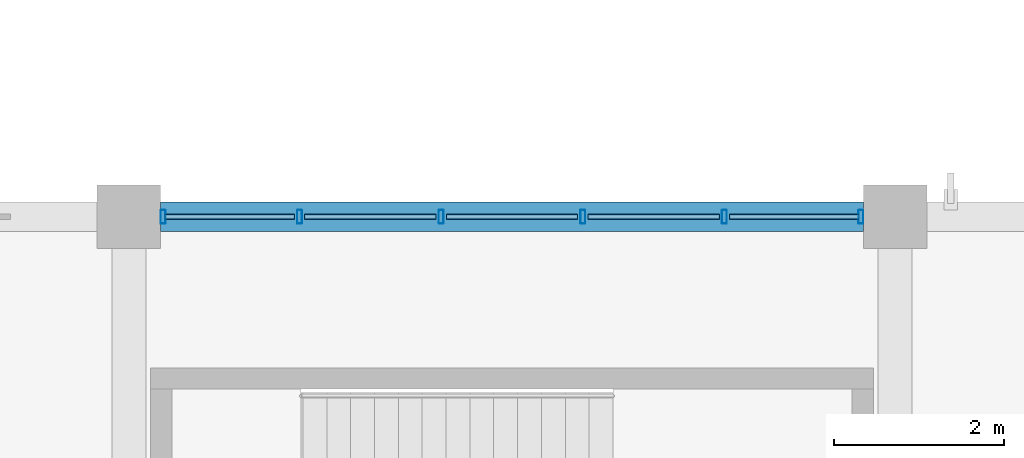
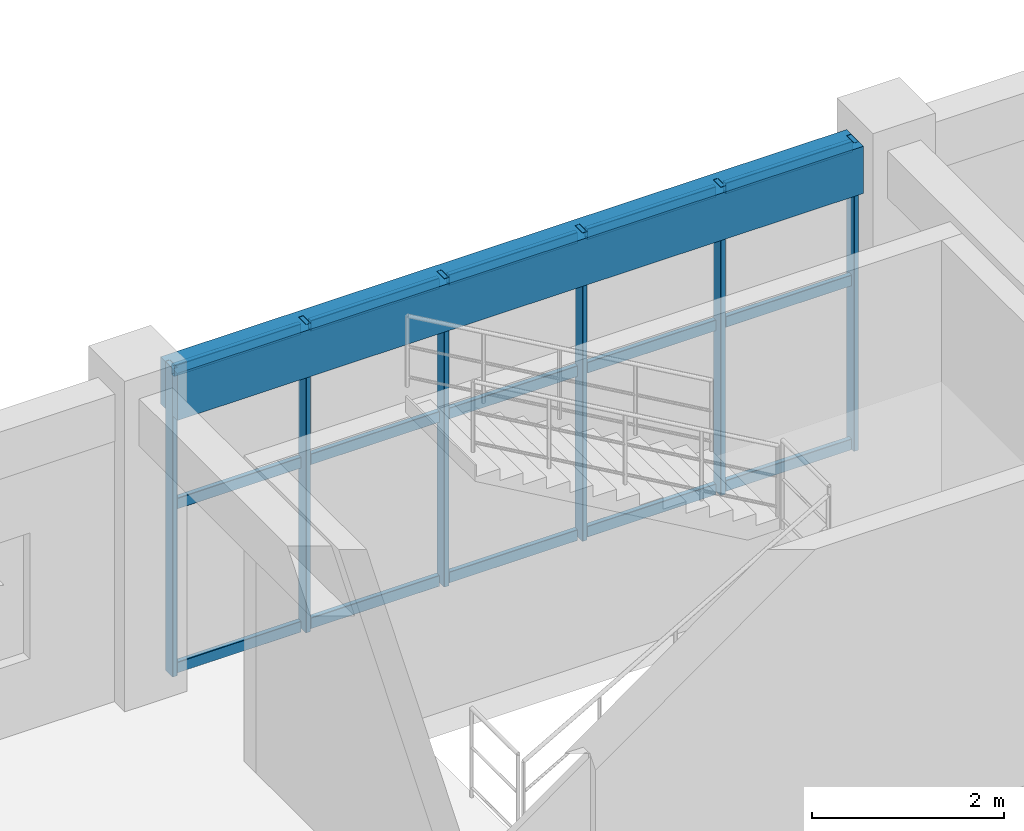
# One storey, part 84 of 148: 21 members, 1 beam, 1 element without a shape of its own.
"""IFC4 building model written with IfcOpenShell, lengths in metres."""

from ifc_helpers import new_model, si_unit, derived_unit, direction, frame, origin, origin_2d, place, context, subcontext, project, spatial, rectangle, hollow_rectangle, extrude, material, material_profile, profile_set, type_object, element, aggregate, save


model = new_model("IFC4")

# Units and contexts
model_context = context("Model", 3, precision=1e-05, world=origin(), true_north=direction((0.0, 1.0)))
body_context = subcontext(model_context, "Body", "Model", "MODEL_VIEW")
ifc_project = project(units=[si_unit("LENGTHUNIT", "METRE"), si_unit("AREAUNIT", "SQUARE_METRE"), si_unit("VOLUMEUNIT", "CUBIC_METRE"), si_unit("PLANEANGLEUNIT", "RADIAN"), si_unit("MASSUNIT", "GRAM", prefix="KILO"), derived_unit("THERMALTRANSMITTANCEUNIT", [(si_unit("MASSUNIT", "GRAM", prefix="KILO"), 1), (si_unit("TIMEUNIT", "SECOND"), -3), (si_unit("THERMODYNAMICTEMPERATUREUNIT", "KELVIN"), -1)])], contexts=[model_context])

# Site, building, storey
site_placement = place(None, origin())
site = spatial("IfcSite", under=ifc_project, at=site_placement, CompositionType="ELEMENT")
building_placement = place(site_placement, origin())
building = spatial("IfcBuilding", under=site, at=building_placement, Name="Zhenchuan Archway Interchange", CompositionType="ELEMENT")
storey_placement = place(building_placement, frame((0.0, 0.0, 10.199951171875)))
storey = spatial("IfcBuildingStorey", under=building, at=storey_placement, Name="L02", CompositionType="ELEMENT", Elevation=10.199951171875)

# Curtain wall, members
ifc_material_1 = material(Name="Anodised Aluminium", Category="aluminium")
curtain_wall_type = type_object("IfcCurtainWallType", Name="CW_UNIT_1", PredefinedType="NOTDEFINED", material=ifc_material_1)
curtain_wall_placement = place(storey_placement, origin())
curtain_wall = element("IfcCurtainWall", 1, at=curtain_wall_placement, inside=storey, type_object=curtain_wall_type, Name="Unitised curtain wall CW:L02:148", PredefinedType="NOTDEFINED")
ifc_material_profile_1 = material_profile(ifc_material_1, hollow_rectangle(XDim=0.06005859375, YDim=0.159912109375, WallThickness=0.00390625, InnerFilletRadius=0.00390625, OuterFilletRadius=0.008056640625, at=origin_2d()), Name="ALU 160x60x4")
ifc_profile_set_1 = profile_set([ifc_material_profile_1], Name="Anodised Aluminium")
member_type_1 = type_object("IfcMemberType", Name="CW_MUL_150", PredefinedType="MULLION", material=ifc_profile_set_1)
member_1_placement = place(storey_placement, frame((117.403076171875, 104.0, 0.0), z_axis=(0.0, 0.0, 1.0), x_axis=(1.0, 0.0, 0.0)))
member_1 = element("IfcMember", 2, at=member_1_placement, type_object=member_type_1, Name="CW:L02:148 mullion 0", PredefinedType="MULLION", context=body_context, shape_type="SweptSolid", body=[
    extrude(hollow_rectangle(XDim=0.06005859375, YDim=0.159912109375, WallThickness=0.00390625, InnerFilletRadius=0.00390625, OuterFilletRadius=0.008056640625, at=origin_2d()), origin(), (0.0, 0.0, 1.0), 3.920166015625),
])
member_2_placement = place(storey_placement, frame((119.005859375, 104.0, 0.0), z_axis=(0.0, 0.0, 1.0), x_axis=(1.0, 0.0, 0.0)))
member_2 = element("IfcMember", 3, at=member_2_placement, type_object=member_type_1, Name="CW:L02:148 mullion 1", PredefinedType="MULLION", context=body_context, shape_type="SweptSolid", body=[
    extrude(hollow_rectangle(XDim=0.06005859375, YDim=0.159912109375, WallThickness=0.00390625, InnerFilletRadius=0.00390625, OuterFilletRadius=0.008056640625, at=origin_2d()), origin(), (0.0, 0.0, 1.0), 3.920166015625),
])
member_3_placement = place(storey_placement, frame((120.668701171875, 104.0, 0.0), z_axis=(0.0, 0.0, 1.0), x_axis=(1.0, 0.0, 0.0)))
member_3 = element("IfcMember", 4, at=member_3_placement, type_object=member_type_1, Name="CW:L02:148 mullion 2", PredefinedType="MULLION", context=body_context, shape_type="SweptSolid", body=[
    extrude(hollow_rectangle(XDim=0.06005859375, YDim=0.159912109375, WallThickness=0.00390625, InnerFilletRadius=0.00390625, OuterFilletRadius=0.008056640625, at=origin_2d()), origin(), (0.0, 0.0, 1.0), 3.920166015625),
])
member_4_placement = place(storey_placement, frame((122.331298828125, 104.0, 0.0), z_axis=(0.0, 0.0, 1.0), x_axis=(1.0, 0.0, 0.0)))
member_4 = element("IfcMember", 5, at=member_4_placement, type_object=member_type_1, Name="CW:L02:148 mullion 3", PredefinedType="MULLION", context=body_context, shape_type="SweptSolid", body=[
    extrude(hollow_rectangle(XDim=0.06005859375, YDim=0.159912109375, WallThickness=0.00390625, InnerFilletRadius=0.00390625, OuterFilletRadius=0.008056640625, at=origin_2d()), origin(), (0.0, 0.0, 1.0), 3.920166015625),
])
member_5_placement = place(storey_placement, frame((123.994140625, 104.0, 0.0), z_axis=(0.0, 0.0, 1.0), x_axis=(1.0, 0.0, 0.0)))
member_5 = element("IfcMember", 6, at=member_5_placement, type_object=member_type_1, Name="CW:L02:148 mullion 4", PredefinedType="MULLION", context=body_context, shape_type="SweptSolid", body=[
    extrude(hollow_rectangle(XDim=0.06005859375, YDim=0.159912109375, WallThickness=0.00390625, InnerFilletRadius=0.00390625, OuterFilletRadius=0.008056640625, at=origin_2d()), origin(), (0.0, 0.0, 1.0), 3.920166015625),
])
member_6_placement = place(storey_placement, frame((125.596923828125, 104.0, 0.0), z_axis=(0.0, 0.0, 1.0), x_axis=(1.0, 0.0, 0.0)))
member_6 = element("IfcMember", 7, at=member_6_placement, type_object=member_type_1, Name="CW:L02:148 mullion 5", PredefinedType="MULLION", context=body_context, shape_type="SweptSolid", body=[
    extrude(hollow_rectangle(XDim=0.06005859375, YDim=0.159912109375, WallThickness=0.00390625, InnerFilletRadius=0.00390625, OuterFilletRadius=0.008056640625, at=origin_2d()), origin(), (0.0, 0.0, 1.0), 3.920166015625),
])
ifc_material_profile_2 = material_profile(ifc_material_1, hollow_rectangle(XDim=0.06005859375, YDim=0.139892578125, WallThickness=0.00341796875, InnerFilletRadius=0.00341796875, OuterFilletRadius=0.007080078125, at=origin_2d()), Name="ALU 140x60x3.5")
ifc_profile_set_2 = profile_set([ifc_material_profile_2], Name="Anodised Aluminium")
member_type_2 = type_object("IfcMemberType", Name="CW_TRN_140", PredefinedType="USERDEFINED", material=ifc_profile_set_2)
member_7_placement = place(storey_placement, frame((117.423095703125, 104.0, 0.06005859375), z_axis=(1.0, 0.0, 0.0), x_axis=(0.0, 1.0, 0.0)))
member_7 = element("IfcMember", 8, at=member_7_placement, type_object=member_type_2, Name="CW:L02:148 transom 0-1", ObjectType="TRANSOM", PredefinedType="USERDEFINED", context=body_context, shape_type="SweptSolid", body=[
    extrude(hollow_rectangle(XDim=0.06005859375, YDim=0.139892578125, WallThickness=0.00341796875, InnerFilletRadius=0.00341796875, OuterFilletRadius=0.007080078125, at=origin_2d()), origin(), (0.0, 0.0, 1.0), 1.522705078125),
])
member_8_placement = place(storey_placement, frame((117.423095703125, 104.0, 2.14501953125), z_axis=(1.0, 0.0, 0.0), x_axis=(0.0, 1.0, 0.0)))
member_8 = element("IfcMember", 9, at=member_8_placement, type_object=member_type_2, Name="CW:L02:148 transom 0-2", ObjectType="TRANSOM", PredefinedType="USERDEFINED", context=body_context, shape_type="SweptSolid", body=[
    extrude(hollow_rectangle(XDim=0.06005859375, YDim=0.139892578125, WallThickness=0.00341796875, InnerFilletRadius=0.00341796875, OuterFilletRadius=0.007080078125, at=origin_2d()), origin(), (0.0, 0.0, 1.0), 1.522705078125),
])
member_9_placement = place(storey_placement, frame((117.423095703125, 104.0, 3.840087890625), z_axis=(1.0, 0.0, 0.0), x_axis=(0.0, 1.0, 0.0)))
member_9 = element("IfcMember", 10, at=member_9_placement, type_object=member_type_2, Name="CW:L02:148 transom 0-3", ObjectType="TRANSOM", PredefinedType="USERDEFINED", context=body_context, shape_type="SweptSolid", body=[
    extrude(hollow_rectangle(XDim=0.06005859375, YDim=0.139892578125, WallThickness=0.00341796875, InnerFilletRadius=0.00341796875, OuterFilletRadius=0.007080078125, at=origin_2d()), origin(), (0.0, 0.0, 1.0), 1.522705078125),
])
member_10_placement = place(storey_placement, frame((119.06591796875, 104.0, 0.06005859375), z_axis=(1.0, 0.0, 0.0), x_axis=(0.0, 1.0, 0.0)))
member_10 = element("IfcMember", 11, at=member_10_placement, type_object=member_type_2, Name="CW:L02:148 transom 1-1", ObjectType="TRANSOM", PredefinedType="USERDEFINED", context=body_context, shape_type="SweptSolid", body=[
    extrude(hollow_rectangle(XDim=0.06005859375, YDim=0.139892578125, WallThickness=0.00341796875, InnerFilletRadius=0.00341796875, OuterFilletRadius=0.007080078125, at=origin_2d()), origin(), (0.0, 0.0, 1.0), 1.542724609375),
])
member_11_placement = place(storey_placement, frame((119.06591796875, 104.0, 2.14501953125), z_axis=(1.0, 0.0, 0.0), x_axis=(0.0, 1.0, 0.0)))
member_11 = element("IfcMember", 12, at=member_11_placement, type_object=member_type_2, Name="CW:L02:148 transom 1-2", ObjectType="TRANSOM", PredefinedType="USERDEFINED", context=body_context, shape_type="SweptSolid", body=[
    extrude(hollow_rectangle(XDim=0.06005859375, YDim=0.139892578125, WallThickness=0.00341796875, InnerFilletRadius=0.00341796875, OuterFilletRadius=0.007080078125, at=origin_2d()), origin(), (0.0, 0.0, 1.0), 1.542724609375),
])
member_12_placement = place(storey_placement, frame((119.06591796875, 104.0, 3.840087890625), z_axis=(1.0, 0.0, 0.0), x_axis=(0.0, 1.0, 0.0)))
member_12 = element("IfcMember", 13, at=member_12_placement, type_object=member_type_2, Name="CW:L02:148 transom 1-3", ObjectType="TRANSOM", PredefinedType="USERDEFINED", context=body_context, shape_type="SweptSolid", body=[
    extrude(hollow_rectangle(XDim=0.06005859375, YDim=0.139892578125, WallThickness=0.00341796875, InnerFilletRadius=0.00341796875, OuterFilletRadius=0.007080078125, at=origin_2d()), origin(), (0.0, 0.0, 1.0), 1.542724609375),
])
member_13_placement = place(storey_placement, frame((120.728515625, 104.0, 0.06005859375), z_axis=(1.0, 0.0, 0.0), x_axis=(0.0, 1.0, 0.0)))
member_13 = element("IfcMember", 14, at=member_13_placement, type_object=member_type_2, Name="CW:L02:148 transom 2-1", ObjectType="TRANSOM", PredefinedType="USERDEFINED", context=body_context, shape_type="SweptSolid", body=[
    extrude(hollow_rectangle(XDim=0.06005859375, YDim=0.139892578125, WallThickness=0.00341796875, InnerFilletRadius=0.00341796875, OuterFilletRadius=0.007080078125, at=origin_2d()), origin(), (0.0, 0.0, 1.0), 1.54296875),
])
member_14_placement = place(storey_placement, frame((120.728515625, 104.0, 2.14501953125), z_axis=(1.0, 0.0, 0.0), x_axis=(0.0, 1.0, 0.0)))
member_14 = element("IfcMember", 15, at=member_14_placement, type_object=member_type_2, Name="CW:L02:148 transom 2-2", ObjectType="TRANSOM", PredefinedType="USERDEFINED", context=body_context, shape_type="SweptSolid", body=[
    extrude(hollow_rectangle(XDim=0.06005859375, YDim=0.139892578125, WallThickness=0.00341796875, InnerFilletRadius=0.00341796875, OuterFilletRadius=0.007080078125, at=origin_2d()), origin(), (0.0, 0.0, 1.0), 1.54296875),
])
member_15_placement = place(storey_placement, frame((120.728515625, 104.0, 3.840087890625), z_axis=(1.0, 0.0, 0.0), x_axis=(0.0, 1.0, 0.0)))
member_15 = element("IfcMember", 16, at=member_15_placement, type_object=member_type_2, Name="CW:L02:148 transom 2-3", ObjectType="TRANSOM", PredefinedType="USERDEFINED", context=body_context, shape_type="SweptSolid", body=[
    extrude(hollow_rectangle(XDim=0.06005859375, YDim=0.139892578125, WallThickness=0.00341796875, InnerFilletRadius=0.00341796875, OuterFilletRadius=0.007080078125, at=origin_2d()), origin(), (0.0, 0.0, 1.0), 1.54296875),
])
member_16_placement = place(storey_placement, frame((122.391357421875, 104.0, 0.06005859375), z_axis=(1.0, 0.0, 0.0), x_axis=(0.0, 1.0, 0.0)))
member_16 = element("IfcMember", 17, at=member_16_placement, type_object=member_type_2, Name="CW:L02:148 transom 3-1", ObjectType="TRANSOM", PredefinedType="USERDEFINED", context=body_context, shape_type="SweptSolid", body=[
    extrude(hollow_rectangle(XDim=0.06005859375, YDim=0.139892578125, WallThickness=0.00341796875, InnerFilletRadius=0.00341796875, OuterFilletRadius=0.007080078125, at=origin_2d()), origin(), (0.0, 0.0, 1.0), 1.542724609375),
])
member_17_placement = place(storey_placement, frame((122.391357421875, 104.0, 2.14501953125), z_axis=(1.0, 0.0, 0.0), x_axis=(0.0, 1.0, 0.0)))
member_17 = element("IfcMember", 18, at=member_17_placement, type_object=member_type_2, Name="CW:L02:148 transom 3-2", ObjectType="TRANSOM", PredefinedType="USERDEFINED", context=body_context, shape_type="SweptSolid", body=[
    extrude(hollow_rectangle(XDim=0.06005859375, YDim=0.139892578125, WallThickness=0.00341796875, InnerFilletRadius=0.00341796875, OuterFilletRadius=0.007080078125, at=origin_2d()), origin(), (0.0, 0.0, 1.0), 1.542724609375),
])
member_18_placement = place(storey_placement, frame((122.391357421875, 104.0, 3.840087890625), z_axis=(1.0, 0.0, 0.0), x_axis=(0.0, 1.0, 0.0)))
member_18 = element("IfcMember", 19, at=member_18_placement, type_object=member_type_2, Name="CW:L02:148 transom 3-3", ObjectType="TRANSOM", PredefinedType="USERDEFINED", context=body_context, shape_type="SweptSolid", body=[
    extrude(hollow_rectangle(XDim=0.06005859375, YDim=0.139892578125, WallThickness=0.00341796875, InnerFilletRadius=0.00341796875, OuterFilletRadius=0.007080078125, at=origin_2d()), origin(), (0.0, 0.0, 1.0), 1.542724609375),
])
member_19_placement = place(storey_placement, frame((124.05419921875, 104.0, 0.06005859375), z_axis=(1.0, 0.0, 0.0), x_axis=(0.0, 1.0, 0.0)))
member_19 = element("IfcMember", 20, at=member_19_placement, type_object=member_type_2, Name="CW:L02:148 transom 4-1", ObjectType="TRANSOM", PredefinedType="USERDEFINED", context=body_context, shape_type="SweptSolid", body=[
    extrude(hollow_rectangle(XDim=0.06005859375, YDim=0.139892578125, WallThickness=0.00341796875, InnerFilletRadius=0.00341796875, OuterFilletRadius=0.007080078125, at=origin_2d()), origin(), (0.0, 0.0, 1.0), 1.522705078125),
])
member_20_placement = place(storey_placement, frame((124.05419921875, 104.0, 2.14501953125), z_axis=(1.0, 0.0, 0.0), x_axis=(0.0, 1.0, 0.0)))
member_20 = element("IfcMember", 21, at=member_20_placement, type_object=member_type_2, Name="CW:L02:148 transom 4-2", ObjectType="TRANSOM", PredefinedType="USERDEFINED", context=body_context, shape_type="SweptSolid", body=[
    extrude(hollow_rectangle(XDim=0.06005859375, YDim=0.139892578125, WallThickness=0.00341796875, InnerFilletRadius=0.00341796875, OuterFilletRadius=0.007080078125, at=origin_2d()), origin(), (0.0, 0.0, 1.0), 1.522705078125),
])
member_21_placement = place(storey_placement, frame((124.05419921875, 104.0, 3.840087890625), z_axis=(1.0, 0.0, 0.0), x_axis=(0.0, 1.0, 0.0)))
member_21 = element("IfcMember", 22, at=member_21_placement, type_object=member_type_2, Name="CW:L02:148 transom 4-3", ObjectType="TRANSOM", PredefinedType="USERDEFINED", context=body_context, shape_type="SweptSolid", body=[
    extrude(hollow_rectangle(XDim=0.06005859375, YDim=0.139892578125, WallThickness=0.00341796875, InnerFilletRadius=0.00341796875, OuterFilletRadius=0.007080078125, at=origin_2d()), origin(), (0.0, 0.0, 1.0), 1.522705078125),
])
aggregate(curtain_wall, [member_1, member_2, member_3, member_4, member_5, member_6, member_7, member_8, member_9, member_10, member_11, member_12, member_13, member_14, member_15, member_16, member_17, member_18, member_19, member_20, member_21])

# Beam
ifc_material_2 = material(Name="Concrete C40", Category="concrete")
ifc_material_profile_3 = material_profile(ifc_material_2, rectangle(XDim=0.35009765625, YDim=0.60009765625, at=origin_2d()), Name="RC 350x600")
ifc_profile_set_3 = profile_set([ifc_material_profile_3], Name="Concrete C40")
beam_type = type_object("IfcBeamType", Name="SP_RC_350x600", PredefinedType="SPANDREL", material=ifc_profile_set_3)
beam_placement = place(storey_placement, frame((117.375, 104.0, 3.6201171875), z_axis=(1.0, 0.0, 0.0), x_axis=(0.0, 1.0, 0.0)))
element("IfcBeam", 23, at=beam_placement, inside=storey, type_object=beam_type, Name="Beam O:14-15 (L02)", PredefinedType="SPANDREL", context=body_context, shape_type="SweptSolid", body=[
    extrude(rectangle(XDim=0.35009765625, YDim=0.60009765625, at=origin_2d()), origin(), (0.0, 0.0, 1.0), 8.25),
])

save(model, "model.ifc")
